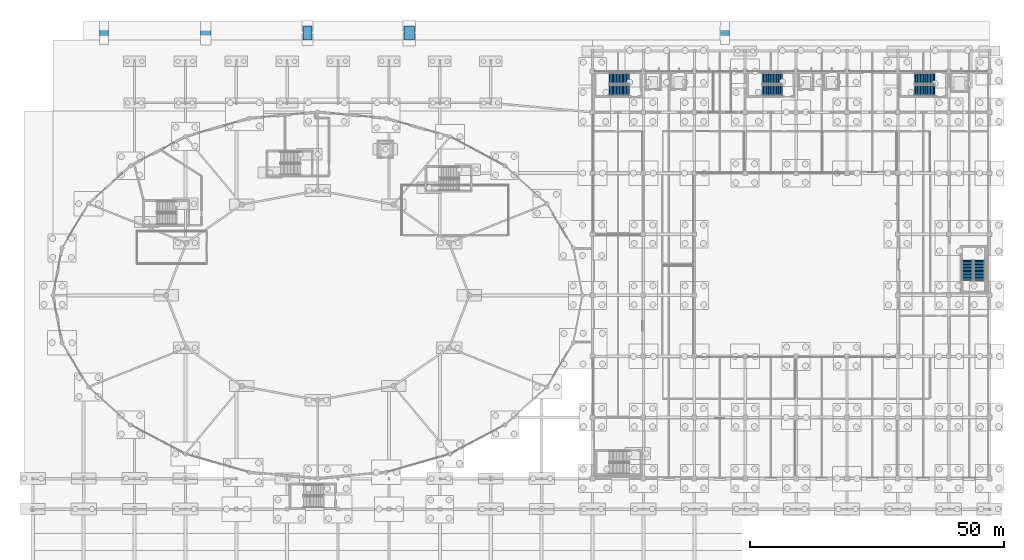
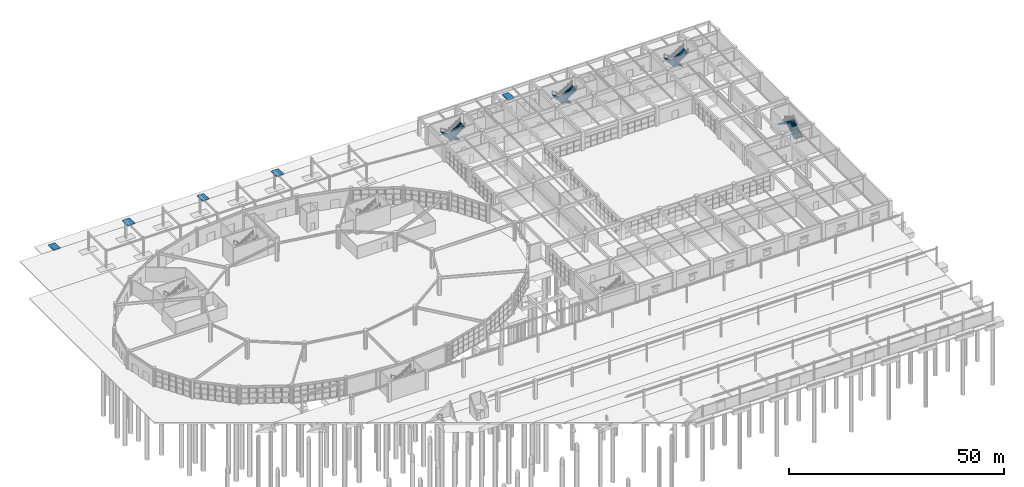
# One storey, part 86 of 99: 8 stair flights, 5 ramp flights, 9 elements without a shape of their own.
"""IFC4 building model written with IfcOpenShell, lengths in metres."""

import ifcopenshell
import ifcopenshell.guid

model = None  # the IFC model being written
_history = None  # IfcOwnerHistory: only IFC2X3 demands one
_inside = {}  # id of a spatial element -> (the spatial element, [elements in it])
_under = {}  # id of a project, library or spatial element -> (it, [spatial elements below it])
_declared = {}  # id of a project -> (the project, [libraries it declares])
_typed = {}  # id of a type object -> (the type object, [elements of that type])
_made_of = {}  # id of a material, layer set ... -> (it, [elements and type objects made of it])


def new_model(schema):
    """Start an empty IFC model of exactly this schema.

    Asked for "IFC4X3", IfcOpenShell would pick the latest addendum, in which some entities
    have other attributes; the version numbers below select the first issue.
    IFC2X3 requires an IfcOwnerHistory on every rooted entity: one is made here for all.
    """
    global model, _history
    if schema == "IFC4X3":
        model = ifcopenshell.file(schema_version=(4, 3, 0, 0))
    else:
        model = ifcopenshell.file(schema=schema)
    _inside.clear()
    _under.clear()
    _declared.clear()
    _typed.clear()
    _made_of.clear()
    _history = None
    if model.schema == "IFC2X3":
        org = make("IfcOrganization", Name="unknown")
        user = make(
            "IfcPersonAndOrganization",
            ThePerson=make("IfcPerson", FamilyName="unknown"),
            TheOrganization=org,
        )
        app = make(
            "IfcApplication",
            ApplicationDeveloper=org,
            Version="unknown",
            ApplicationFullName="unknown",
            ApplicationIdentifier="unknown",
        )
        _history = make(
            "IfcOwnerHistory",
            OwningUser=user,
            OwningApplication=app,
            ChangeAction="ADDED",
            CreationDate=0,
        )
    return model


def make(cls, **values):
    """One entity of the class cls with the attributes given. An attribute that is None is left unset."""
    return model.create_entity(
        cls, **{name: value for name, value in values.items() if value is not None}
    )


def rooted(cls, **values):
    """An entity with a GlobalId (a new one), such as an element, a storey or a relation."""
    return make(cls, GlobalId=ifcopenshell.guid.new(), OwnerHistory=_history, **values)


def si_unit(unit_type, name, prefix=None):
    """IfcSIUnit, for example si_unit("LENGTHUNIT", "METRE", prefix="MILLI")."""
    return make("IfcSIUnit", UnitType=unit_type, Prefix=prefix, Name=name)


def assignment(units):
    """IfcUnitAssignment: the units of a project."""
    return None if units is None else make("IfcUnitAssignment", Units=units)


def point(xyz):
    """IfcCartesianPoint."""
    return None if xyz is None else make("IfcCartesianPoint", Coordinates=xyz)


def direction(xyz):
    """IfcDirection."""
    return None if xyz is None else make("IfcDirection", DirectionRatios=xyz)


def frame(location, z_axis=None, x_axis=None):
    """IfcAxis2Placement3D, a coordinate frame: its origin and axes. An axis left out is left unset."""
    return make(
        "IfcAxis2Placement3D",
        Location=point(location),
        Axis=direction(z_axis),
        RefDirection=direction(x_axis),
    )


def origin():
    """The frame at (0, 0, 0) with its axes left unset."""
    return frame((0.0, 0.0, 0.0))


def place(relative_to, where):
    """IfcLocalPlacement: puts the frame where relative to a parent placement (None: the world)."""
    return make(
        "IfcLocalPlacement", PlacementRelTo=relative_to, RelativePlacement=where
    )


def context(
    kind, dimensions, precision=None, world=None, true_north=None, identifier=None
):
    """IfcGeometricRepresentationContext, for example the 3D "Model" context."""
    return make(
        "IfcGeometricRepresentationContext",
        ContextIdentifier=identifier,
        ContextType=kind,
        CoordinateSpaceDimension=dimensions,
        Precision=precision,
        WorldCoordinateSystem=world,
        TrueNorth=true_north,
    )


def subcontext(parent, identifier, kind, view, scale=None):
    """IfcGeometricRepresentationSubContext, for example "Body" below "Model"."""
    return make(
        "IfcGeometricRepresentationSubContext",
        ContextIdentifier=identifier,
        ContextType=kind,
        ParentContext=parent,
        TargetScale=scale,
        TargetView=view,
    )


def project(units=None, contexts=None):
    """IfcProject with its units and contexts."""
    return rooted(
        "IfcProject",
        Name="project",
        RepresentationContexts=contexts,
        UnitsInContext=assignment(units),
    )


def spatial(cls, under=None, at=None, **own):
    """A site, building, storey or space (cls), placed at a placement, below another one or the project."""
    s = rooted(cls, ObjectPlacement=at, **own)
    if under is not None:
        _under.setdefault(under.id(), (under, []))[1].append(s)
    return s


def polyline(points):
    """IfcPolyline through the points."""
    return make("IfcPolyline", Points=[point(p) for p in points])


def outline(outer, holes=None, kind="AREA"):
    """IfcArbitraryClosedProfileDef: a profile drawn as a closed curve; with holes, ...WithVoids."""
    if holes is None:
        return make("IfcArbitraryClosedProfileDef", ProfileType=kind, OuterCurve=outer)
    return make(
        "IfcArbitraryProfileDefWithVoids",
        ProfileType=kind,
        OuterCurve=outer,
        InnerCurves=holes,
    )


def extrude(swept, where, along, depth):
    """IfcExtrudedAreaSolid: the profile swept, set in the frame where, extruded along a direction by depth."""
    return make(
        "IfcExtrudedAreaSolid",
        SweptArea=swept,
        Position=where,
        ExtrudedDirection=direction(along),
        Depth=depth,
    )


def shape(context_of_items, identifier, shape_type, items):
    """IfcShapeRepresentation: the items that make up one representation, for example the "Body"."""
    return make(
        "IfcShapeRepresentation",
        ContextOfItems=context_of_items,
        RepresentationIdentifier=identifier,
        RepresentationType=shape_type,
        Items=items,
    )


def material(Name=None, Category=None):
    """IfcMaterial."""
    return make("IfcMaterial", Name=Name, Category=Category)


def layer(
    of_material, thickness, ventilated=None, Name=None, Category=None, Priority=None
):
    """IfcMaterialLayer: one layer of a wall or slab, of a material (None: an air gap)."""
    return make(
        "IfcMaterialLayer",
        Material=of_material,
        LayerThickness=thickness,
        IsVentilated=ventilated,
        Name=Name,
        Category=Category,
        Priority=Priority,
    )


def layer_set(layers, Name=None):
    """IfcMaterialLayerSet."""
    return make("IfcMaterialLayerSet", MaterialLayers=layers, LayerSetName=Name)


def made_of(thing, what):
    """Note that an element or type object is made of a material, layer set ...; save() writes the relation."""
    if what is not None:
        _made_of.setdefault(what.id(), (what, []))[1].append(thing)
    return thing


def type_object(cls, material=None, **own):
    """A type object (cls), such as IfcWallType, which elements share."""
    return made_of(rooted(cls, **own), material)


def element(
    cls,
    number,
    at=None,
    inside=None,
    cuts=None,
    type_object=None,
    material=None,
    context=None,
    identifier="Body",
    shape_type=None,
    held_by="IfcProductDefinitionShape",
    body=None,
    shapes=None,
    **own,
):
    """One element of the class cls, such as IfcWall. Its Tag is "e" and its number.

    at: its placement. inside: the storey or other place that contains it. cuts: it is an
    opening in that element (IfcRelVoidsElement). A single representation is given by context,
    identifier, shape_type and body (its items); several are given by shapes. held_by: the class
    of the entity that holds the representations. save() writes the other relations.
    """
    e = rooted(cls, Tag="e%d" % number, ObjectPlacement=at, **own)
    if body is not None:
        shapes = [shape(context, identifier, shape_type, body)]
    if shapes is not None:
        e.Representation = make(held_by, Representations=shapes)
    if inside is not None:
        _inside.setdefault(inside.id(), (inside, []))[1].append(e)
    if cuts is not None:
        rooted(
            "IfcRelVoidsElement", RelatingBuildingElement=cuts, RelatedOpeningElement=e
        )
    if type_object is not None:
        _typed.setdefault(type_object.id(), (type_object, []))[1].append(e)
    return made_of(e, material)


def aggregate(whole, parts):
    """IfcRelAggregates: a whole, such as a stair, and the parts it consists of."""
    return rooted("IfcRelAggregates", RelatingObject=whole, RelatedObjects=parts)


def save(model, path):
    """Write the relations noted so far, then the file.

    IfcRelAggregates (storeys below a building ...), IfcRelContainedInSpatialStructure (elements
    in a storey), IfcRelDefinesByType, IfcRelAssociatesMaterial and IfcRelDeclares: one each for
    every whole, place, type object, material and project.
    """
    for whole, parts in _under.values():
        aggregate(whole, parts)
    for where, things in _inside.values():
        rooted(
            "IfcRelContainedInSpatialStructure",
            RelatedElements=things,
            RelatingStructure=where,
        )
    for kind, things in _typed.values():
        rooted("IfcRelDefinesByType", RelatedObjects=things, RelatingType=kind)
    for what, things in _made_of.values():
        rooted("IfcRelAssociatesMaterial", RelatedObjects=things, RelatingMaterial=what)
    for by, libraries in _declared.values():
        rooted("IfcRelDeclares", RelatingContext=by, RelatedDefinitions=libraries)
    model.write(path)


model = new_model("IFC4")

# Units and contexts
model_context = context("Model", 3, precision=1e-05, world=origin(), true_north=direction((0.0, 1.0)))
body_context = subcontext(model_context, "Body", "Model", "MODEL_VIEW")
ifc_project = project(units=[si_unit("LENGTHUNIT", "METRE"), si_unit("AREAUNIT", "SQUARE_METRE"), si_unit("VOLUMEUNIT", "CUBIC_METRE"), si_unit("PLANEANGLEUNIT", "RADIAN"), si_unit("MASSUNIT", "GRAM", prefix="KILO")], contexts=[model_context])

# Site, building, storey
site_placement = place(None, origin())
site = spatial("IfcSite", under=ifc_project, at=site_placement, CompositionType="ELEMENT")
building_placement = place(site_placement, origin())
building = spatial("IfcBuilding", under=site, at=building_placement, Name="Kivolera Central Railway Station", CompositionType="ELEMENT")
storey_placement = place(building_placement, origin())
storey = spatial("IfcBuildingStorey", under=building, at=storey_placement, Name="L00", CompositionType="ELEMENT", Elevation=0.0)

# Stair, stair flights
ifc_material = material(Name="Concrete C40/50", Category="concrete")
stair_type = type_object("IfcStairType", Name="STR-2160-30", PredefinedType="HALF_TURN_STAIR", material=ifc_material)
stair_1_placement = place(storey_placement, origin())
stair_1 = element("IfcStair", 1, at=stair_1_placement, inside=storey, type_object=stair_type, Name="L00 Protected Exit Stair ST1", PredefinedType="HALF_TURN_STAIR")
stair_flight_type = type_object("IfcStairFlightType", Name="SFL-2160-30", PredefinedType="STRAIGHT", material=ifc_material)
stair_flight_1_placement = place(storey_placement, frame((125.239990234375, 132.60009765625, 0.0), z_axis=(0.0, 0.0, 1.0), x_axis=(-1.0, 0.0, 0.0)))
stair_flight_1 = element("IfcStairFlight", 2, at=stair_flight_1_placement, type_object=stair_flight_type, Name="ST1 flight 1", NumberOfRisers=15, NumberOfTreads=14, PredefinedType="STRAIGHT", RiserHeight=0.18, TreadLength=0.28, context=body_context, shape_type="SweptSolid", body=[
    extrude(outline(polyline([(-0.0400390625, 0.0), (0.0, 0.0), (0.0, 0.179931640625), (0.280029296875, 0.179931640625), (0.280029296875, 0.360107421875), (0.56005859375, 0.360107421875), (0.56005859375, 0.5400390625), (0.840087890625, 0.5400390625), (0.840087890625, 0.719970703125), (1.1201171875, 0.719970703125), (1.1201171875, 0.89990234375), (1.39990234375, 0.89990234375), (1.39990234375, 1.080078125), (1.679931640625, 1.080078125), (1.679931640625, 1.260009765625), (1.9599609375, 1.260009765625), (1.9599609375, 1.43994140625), (2.239990234375, 1.43994140625), (2.239990234375, 1.6201171875), (2.52001953125, 1.6201171875), (2.52001953125, 1.800048828125), (2.800048828125, 1.800048828125), (2.800048828125, 1.97998046875), (3.080078125, 1.97998046875), (3.080078125, 2.159912109375), (3.360107421875, 2.159912109375), (3.360107421875, 2.340087890625), (3.639892578125, 2.340087890625), (3.639892578125, 2.52001953125), (3.919921875, 2.52001953125), (3.919921875, 2.699951171875), (3.9599609375, 2.699951171875), (3.9599609375, 2.664306640625), (3.9599609375, 2.62841796875), (3.9599609375, 2.592529296875), (3.9599609375, 2.556640625), (3.9599609375, 2.52099609375), (3.9599609375, 2.485107421875), (3.9599609375, 2.44921875), (3.9599609375, 2.413330078125), (3.9599609375, 2.377685546875), (3.9599609375, 2.341796875), (0.277099609375, -0.080078125), (-0.0400390625, -0.072021484375), (-0.0400390625, -0.06396484375), (-0.0400390625, -0.055908203125), (-0.0400390625, -0.048095703125), (-0.0400390625, -0.0400390625), (-0.0400390625, -0.031982421875), (-0.0400390625, -0.02392578125), (-0.0400390625, -0.01611328125), (-0.0400390625, -0.008056640625), (-0.0400390625, 0.0)])), frame((0.0, 1.080078125, 0.0), z_axis=(0.0, -1.0, 0.0), x_axis=(1.0, 0.0, 0.0)), (0.0, 0.0, 1.0), 2.159912109375),
])
stair_flight_2_placement = place(storey_placement, frame((121.320068359375, 130.260009765625, 2.699951171875), z_axis=(0.0, 0.0, 1.0), x_axis=(1.0, 0.0, 0.0)))
stair_flight_2 = element("IfcStairFlight", 3, at=stair_flight_2_placement, type_object=stair_flight_type, Name="ST1 flight 2", NumberOfRisers=15, NumberOfTreads=14, PredefinedType="STRAIGHT", RiserHeight=0.18, TreadLength=0.28, context=body_context, shape_type="SweptSolid", body=[
    extrude(outline(polyline([(-0.0400390625, 0.0), (0.0, 0.0), (0.0, 0.179931640625), (0.280029296875, 0.179931640625), (0.280029296875, 0.360107421875), (0.56005859375, 0.360107421875), (0.56005859375, 0.5400390625), (0.840087890625, 0.5400390625), (0.840087890625, 0.719970703125), (1.1201171875, 0.719970703125), (1.1201171875, 0.89990234375), (1.39990234375, 0.89990234375), (1.39990234375, 1.080078125), (1.679931640625, 1.080078125), (1.679931640625, 1.260009765625), (1.9599609375, 1.260009765625), (1.9599609375, 1.43994140625), (2.239990234375, 1.43994140625), (2.239990234375, 1.6201171875), (2.52001953125, 1.6201171875), (2.52001953125, 1.800048828125), (2.800048828125, 1.800048828125), (2.800048828125, 1.97998046875), (3.080078125, 1.97998046875), (3.080078125, 2.159912109375), (3.360107421875, 2.159912109375), (3.360107421875, 2.340087890625), (3.639892578125, 2.340087890625), (3.639892578125, 2.52001953125), (3.919921875, 2.52001953125), (3.919921875, 2.699951171875), (3.9599609375, 2.699951171875), (3.9599609375, 2.664306640625), (3.9599609375, 2.62841796875), (3.9599609375, 2.592529296875), (3.9599609375, 2.556640625), (3.9599609375, 2.52099609375), (3.9599609375, 2.485107421875), (3.9599609375, 2.44921875), (3.9599609375, 2.413330078125), (3.9599609375, 2.377685546875), (3.9599609375, 2.341796875), (0.277099609375, -0.080078125), (-0.0400390625, -0.072021484375), (-0.0400390625, -0.06396484375), (-0.0400390625, -0.055908203125), (-0.0400390625, -0.048095703125), (-0.0400390625, -0.0400390625), (-0.0400390625, -0.031982421875), (-0.0400390625, -0.02392578125), (-0.0400390625, -0.01611328125), (-0.0400390625, -0.008056640625), (-0.0400390625, 0.0)])), frame((0.0, 1.080078125, 0.0), z_axis=(0.0, -1.0, 0.0), x_axis=(1.0, 0.0, 0.0)), (0.0, 0.0, 1.0), 2.159912109375),
])
aggregate(stair_1, [stair_flight_1, stair_flight_2])

stair_2_placement = place(storey_placement, origin())
stair_2 = element("IfcStair", 4, at=stair_2_placement, inside=storey, type_object=stair_type, Name="L00 Protected Exit Stair ST2", PredefinedType="HALF_TURN_STAIR")
stair_flight_3_placement = place(storey_placement, frame((155.239990234375, 132.60009765625, 0.0), z_axis=(0.0, 0.0, 1.0), x_axis=(-1.0, 0.0, 0.0)))
stair_flight_3 = element("IfcStairFlight", 5, at=stair_flight_3_placement, type_object=stair_flight_type, Name="ST2 flight 1", NumberOfRisers=15, NumberOfTreads=14, PredefinedType="STRAIGHT", RiserHeight=0.18, TreadLength=0.28, context=body_context, shape_type="SweptSolid", body=[
    extrude(outline(polyline([(-0.0400390625, 0.0), (0.0, 0.0), (0.0, 0.179931640625), (0.280029296875, 0.179931640625), (0.280029296875, 0.360107421875), (0.56005859375, 0.360107421875), (0.56005859375, 0.5400390625), (0.840087890625, 0.5400390625), (0.840087890625, 0.719970703125), (1.1201171875, 0.719970703125), (1.1201171875, 0.89990234375), (1.39990234375, 0.89990234375), (1.39990234375, 1.080078125), (1.679931640625, 1.080078125), (1.679931640625, 1.260009765625), (1.9599609375, 1.260009765625), (1.9599609375, 1.43994140625), (2.239990234375, 1.43994140625), (2.239990234375, 1.6201171875), (2.52001953125, 1.6201171875), (2.52001953125, 1.800048828125), (2.800048828125, 1.800048828125), (2.800048828125, 1.97998046875), (3.080078125, 1.97998046875), (3.080078125, 2.159912109375), (3.360107421875, 2.159912109375), (3.360107421875, 2.340087890625), (3.639892578125, 2.340087890625), (3.639892578125, 2.52001953125), (3.919921875, 2.52001953125), (3.919921875, 2.699951171875), (3.9599609375, 2.699951171875), (3.9599609375, 2.664306640625), (3.9599609375, 2.62841796875), (3.9599609375, 2.592529296875), (3.9599609375, 2.556640625), (3.9599609375, 2.52099609375), (3.9599609375, 2.485107421875), (3.9599609375, 2.44921875), (3.9599609375, 2.413330078125), (3.9599609375, 2.377685546875), (3.9599609375, 2.341796875), (0.277099609375, -0.080078125), (-0.0400390625, -0.072021484375), (-0.0400390625, -0.06396484375), (-0.0400390625, -0.055908203125), (-0.0400390625, -0.048095703125), (-0.0400390625, -0.0400390625), (-0.0400390625, -0.031982421875), (-0.0400390625, -0.02392578125), (-0.0400390625, -0.01611328125), (-0.0400390625, -0.008056640625), (-0.0400390625, 0.0)])), frame((0.0, 1.080078125, 0.0), z_axis=(0.0, -1.0, 0.0), x_axis=(1.0, 0.0, 0.0)), (0.0, 0.0, 1.0), 2.159912109375),
])
stair_flight_4_placement = place(storey_placement, frame((151.320068359375, 130.260009765625, 2.699951171875), z_axis=(0.0, 0.0, 1.0), x_axis=(1.0, 0.0, 0.0)))
stair_flight_4 = element("IfcStairFlight", 6, at=stair_flight_4_placement, type_object=stair_flight_type, Name="ST2 flight 2", NumberOfRisers=15, NumberOfTreads=14, PredefinedType="STRAIGHT", RiserHeight=0.18, TreadLength=0.28, context=body_context, shape_type="SweptSolid", body=[
    extrude(outline(polyline([(-0.0400390625, 0.0), (0.0, 0.0), (0.0, 0.179931640625), (0.280029296875, 0.179931640625), (0.280029296875, 0.360107421875), (0.56005859375, 0.360107421875), (0.56005859375, 0.5400390625), (0.840087890625, 0.5400390625), (0.840087890625, 0.719970703125), (1.1201171875, 0.719970703125), (1.1201171875, 0.89990234375), (1.39990234375, 0.89990234375), (1.39990234375, 1.080078125), (1.679931640625, 1.080078125), (1.679931640625, 1.260009765625), (1.9599609375, 1.260009765625), (1.9599609375, 1.43994140625), (2.239990234375, 1.43994140625), (2.239990234375, 1.6201171875), (2.52001953125, 1.6201171875), (2.52001953125, 1.800048828125), (2.800048828125, 1.800048828125), (2.800048828125, 1.97998046875), (3.080078125, 1.97998046875), (3.080078125, 2.159912109375), (3.360107421875, 2.159912109375), (3.360107421875, 2.340087890625), (3.639892578125, 2.340087890625), (3.639892578125, 2.52001953125), (3.919921875, 2.52001953125), (3.919921875, 2.699951171875), (3.9599609375, 2.699951171875), (3.9599609375, 2.664306640625), (3.9599609375, 2.62841796875), (3.9599609375, 2.592529296875), (3.9599609375, 2.556640625), (3.9599609375, 2.52099609375), (3.9599609375, 2.485107421875), (3.9599609375, 2.44921875), (3.9599609375, 2.413330078125), (3.9599609375, 2.377685546875), (3.9599609375, 2.341796875), (0.277099609375, -0.080078125), (-0.0400390625, -0.072021484375), (-0.0400390625, -0.06396484375), (-0.0400390625, -0.055908203125), (-0.0400390625, -0.048095703125), (-0.0400390625, -0.0400390625), (-0.0400390625, -0.031982421875), (-0.0400390625, -0.02392578125), (-0.0400390625, -0.01611328125), (-0.0400390625, -0.008056640625), (-0.0400390625, 0.0)])), frame((0.0, 1.080078125, 0.0), z_axis=(0.0, -1.0, 0.0), x_axis=(1.0, 0.0, 0.0)), (0.0, 0.0, 1.0), 2.159912109375),
])
aggregate(stair_2, [stair_flight_3, stair_flight_4])

stair_3_placement = place(storey_placement, origin())
stair_3 = element("IfcStair", 7, at=stair_3_placement, inside=storey, type_object=stair_type, Name="L00 Protected Exit Stair ST3", PredefinedType="HALF_TURN_STAIR")
stair_flight_5_placement = place(storey_placement, frame((185.239990234375, 132.60009765625, 0.0), z_axis=(0.0, 0.0, 1.0), x_axis=(-1.0, 0.0, 0.0)))
stair_flight_5 = element("IfcStairFlight", 8, at=stair_flight_5_placement, type_object=stair_flight_type, Name="ST3 flight 1", NumberOfRisers=15, NumberOfTreads=14, PredefinedType="STRAIGHT", RiserHeight=0.18, TreadLength=0.28, context=body_context, shape_type="SweptSolid", body=[
    extrude(outline(polyline([(-0.0400390625, 0.0), (0.0, 0.0), (0.0, 0.179931640625), (0.280029296875, 0.179931640625), (0.280029296875, 0.360107421875), (0.56005859375, 0.360107421875), (0.56005859375, 0.5400390625), (0.840087890625, 0.5400390625), (0.840087890625, 0.719970703125), (1.1201171875, 0.719970703125), (1.1201171875, 0.89990234375), (1.39990234375, 0.89990234375), (1.39990234375, 1.080078125), (1.679931640625, 1.080078125), (1.679931640625, 1.260009765625), (1.9599609375, 1.260009765625), (1.9599609375, 1.43994140625), (2.239990234375, 1.43994140625), (2.239990234375, 1.6201171875), (2.52001953125, 1.6201171875), (2.52001953125, 1.800048828125), (2.800048828125, 1.800048828125), (2.800048828125, 1.97998046875), (3.080078125, 1.97998046875), (3.080078125, 2.159912109375), (3.360107421875, 2.159912109375), (3.360107421875, 2.340087890625), (3.639892578125, 2.340087890625), (3.639892578125, 2.52001953125), (3.919921875, 2.52001953125), (3.919921875, 2.699951171875), (3.9599609375, 2.699951171875), (3.9599609375, 2.664306640625), (3.9599609375, 2.62841796875), (3.9599609375, 2.592529296875), (3.9599609375, 2.556640625), (3.9599609375, 2.52099609375), (3.9599609375, 2.485107421875), (3.9599609375, 2.44921875), (3.9599609375, 2.413330078125), (3.9599609375, 2.377685546875), (3.9599609375, 2.341796875), (0.277099609375, -0.080078125), (-0.0400390625, -0.072021484375), (-0.0400390625, -0.06396484375), (-0.0400390625, -0.055908203125), (-0.0400390625, -0.048095703125), (-0.0400390625, -0.0400390625), (-0.0400390625, -0.031982421875), (-0.0400390625, -0.02392578125), (-0.0400390625, -0.01611328125), (-0.0400390625, -0.008056640625), (-0.0400390625, 0.0)])), frame((0.0, 1.080078125, 0.0), z_axis=(0.0, -1.0, 0.0), x_axis=(1.0, 0.0, 0.0)), (0.0, 0.0, 1.0), 2.159912109375),
])
stair_flight_6_placement = place(storey_placement, frame((181.320068359375, 130.260009765625, 2.699951171875), z_axis=(0.0, 0.0, 1.0), x_axis=(1.0, 0.0, 0.0)))
stair_flight_6 = element("IfcStairFlight", 9, at=stair_flight_6_placement, type_object=stair_flight_type, Name="ST3 flight 2", NumberOfRisers=15, NumberOfTreads=14, PredefinedType="STRAIGHT", RiserHeight=0.18, TreadLength=0.28, context=body_context, shape_type="SweptSolid", body=[
    extrude(outline(polyline([(-0.0400390625, 0.0), (0.0, 0.0), (0.0, 0.179931640625), (0.280029296875, 0.179931640625), (0.280029296875, 0.360107421875), (0.56005859375, 0.360107421875), (0.56005859375, 0.5400390625), (0.840087890625, 0.5400390625), (0.840087890625, 0.719970703125), (1.1201171875, 0.719970703125), (1.1201171875, 0.89990234375), (1.39990234375, 0.89990234375), (1.39990234375, 1.080078125), (1.679931640625, 1.080078125), (1.679931640625, 1.260009765625), (1.9599609375, 1.260009765625), (1.9599609375, 1.43994140625), (2.239990234375, 1.43994140625), (2.239990234375, 1.6201171875), (2.52001953125, 1.6201171875), (2.52001953125, 1.800048828125), (2.800048828125, 1.800048828125), (2.800048828125, 1.97998046875), (3.080078125, 1.97998046875), (3.080078125, 2.159912109375), (3.360107421875, 2.159912109375), (3.360107421875, 2.340087890625), (3.639892578125, 2.340087890625), (3.639892578125, 2.52001953125), (3.919921875, 2.52001953125), (3.919921875, 2.699951171875), (3.9599609375, 2.699951171875), (3.9599609375, 2.664306640625), (3.9599609375, 2.62841796875), (3.9599609375, 2.592529296875), (3.9599609375, 2.556640625), (3.9599609375, 2.52099609375), (3.9599609375, 2.485107421875), (3.9599609375, 2.44921875), (3.9599609375, 2.413330078125), (3.9599609375, 2.377685546875), (3.9599609375, 2.341796875), (0.277099609375, -0.080078125), (-0.0400390625, -0.072021484375), (-0.0400390625, -0.06396484375), (-0.0400390625, -0.055908203125), (-0.0400390625, -0.048095703125), (-0.0400390625, -0.0400390625), (-0.0400390625, -0.031982421875), (-0.0400390625, -0.02392578125), (-0.0400390625, -0.01611328125), (-0.0400390625, -0.008056640625), (-0.0400390625, 0.0)])), frame((0.0, 1.080078125, 0.0), z_axis=(0.0, -1.0, 0.0), x_axis=(1.0, 0.0, 0.0)), (0.0, 0.0, 1.0), 2.159912109375),
])
aggregate(stair_3, [stair_flight_5, stair_flight_6])

stair_4_placement = place(storey_placement, origin())
stair_4 = element("IfcStair", 10, at=stair_4_placement, inside=storey, type_object=stair_type, Name="L00 Protected Exit Stair ST11", PredefinedType="HALF_TURN_STAIR")
stair_flight_7_placement = place(storey_placement, frame((194.02001953125, 92.9599609375, 0.0), z_axis=(0.0, 0.0, 1.0), x_axis=(0.0, 1.0, 0.0)))
stair_flight_7 = element("IfcStairFlight", 11, at=stair_flight_7_placement, type_object=stair_flight_type, Name="ST11 flight 1", NumberOfRisers=15, NumberOfTreads=14, PredefinedType="STRAIGHT", RiserHeight=0.18, TreadLength=0.28, context=body_context, shape_type="SweptSolid", body=[
    extrude(outline(polyline([(-0.0400390625, 0.0), (0.0, 0.0), (0.0, 0.179931640625), (0.280029296875, 0.179931640625), (0.280029296875, 0.360107421875), (0.56005859375, 0.360107421875), (0.56005859375, 0.5400390625), (0.840087890625, 0.5400390625), (0.840087890625, 0.719970703125), (1.1201171875, 0.719970703125), (1.1201171875, 0.89990234375), (1.39990234375, 0.89990234375), (1.39990234375, 1.080078125), (1.679931640625, 1.080078125), (1.679931640625, 1.260009765625), (1.9599609375, 1.260009765625), (1.9599609375, 1.43994140625), (2.239990234375, 1.43994140625), (2.239990234375, 1.6201171875), (2.52001953125, 1.6201171875), (2.52001953125, 1.800048828125), (2.800048828125, 1.800048828125), (2.800048828125, 1.97998046875), (3.080078125, 1.97998046875), (3.080078125, 2.159912109375), (3.360107421875, 2.159912109375), (3.360107421875, 2.340087890625), (3.639892578125, 2.340087890625), (3.639892578125, 2.52001953125), (3.919921875, 2.52001953125), (3.919921875, 2.699951171875), (3.9599609375, 2.699951171875), (3.9599609375, 2.664306640625), (3.9599609375, 2.62841796875), (3.9599609375, 2.592529296875), (3.9599609375, 2.556640625), (3.9599609375, 2.52099609375), (3.9599609375, 2.485107421875), (3.9599609375, 2.44921875), (3.9599609375, 2.413330078125), (3.9599609375, 2.377685546875), (3.9599609375, 2.341796875), (0.277099609375, -0.080078125), (-0.0400390625, -0.072021484375), (-0.0400390625, -0.06396484375), (-0.0400390625, -0.055908203125), (-0.0400390625, -0.048095703125), (-0.0400390625, -0.0400390625), (-0.0400390625, -0.031982421875), (-0.0400390625, -0.02392578125), (-0.0400390625, -0.01611328125), (-0.0400390625, -0.008056640625), (-0.0400390625, 0.0)])), frame((0.0, 1.080078125, 0.0), z_axis=(0.0, -1.0, 0.0), x_axis=(1.0, 0.0, 0.0)), (0.0, 0.0, 1.0), 2.159912109375),
])
stair_flight_8_placement = place(storey_placement, frame((191.679931640625, 96.8798828125, 2.699951171875), z_axis=(0.0, 0.0, 1.0), x_axis=(0.0, -1.0, 0.0)))
stair_flight_8 = element("IfcStairFlight", 12, at=stair_flight_8_placement, type_object=stair_flight_type, Name="ST11 flight 2", NumberOfRisers=15, NumberOfTreads=14, PredefinedType="STRAIGHT", RiserHeight=0.18, TreadLength=0.28, context=body_context, shape_type="SweptSolid", body=[
    extrude(outline(polyline([(-0.0400390625, 0.0), (0.0, 0.0), (0.0, 0.179931640625), (0.280029296875, 0.179931640625), (0.280029296875, 0.360107421875), (0.56005859375, 0.360107421875), (0.56005859375, 0.5400390625), (0.840087890625, 0.5400390625), (0.840087890625, 0.719970703125), (1.1201171875, 0.719970703125), (1.1201171875, 0.89990234375), (1.39990234375, 0.89990234375), (1.39990234375, 1.080078125), (1.679931640625, 1.080078125), (1.679931640625, 1.260009765625), (1.9599609375, 1.260009765625), (1.9599609375, 1.43994140625), (2.239990234375, 1.43994140625), (2.239990234375, 1.6201171875), (2.52001953125, 1.6201171875), (2.52001953125, 1.800048828125), (2.800048828125, 1.800048828125), (2.800048828125, 1.97998046875), (3.080078125, 1.97998046875), (3.080078125, 2.159912109375), (3.360107421875, 2.159912109375), (3.360107421875, 2.340087890625), (3.639892578125, 2.340087890625), (3.639892578125, 2.52001953125), (3.919921875, 2.52001953125), (3.919921875, 2.699951171875), (3.9599609375, 2.699951171875), (3.9599609375, 2.664306640625), (3.9599609375, 2.62841796875), (3.9599609375, 2.592529296875), (3.9599609375, 2.556640625), (3.9599609375, 2.52099609375), (3.9599609375, 2.485107421875), (3.9599609375, 2.44921875), (3.9599609375, 2.413330078125), (3.9599609375, 2.377685546875), (3.9599609375, 2.341796875), (0.277099609375, -0.080078125), (-0.0400390625, -0.072021484375), (-0.0400390625, -0.06396484375), (-0.0400390625, -0.055908203125), (-0.0400390625, -0.048095703125), (-0.0400390625, -0.0400390625), (-0.0400390625, -0.031982421875), (-0.0400390625, -0.02392578125), (-0.0400390625, -0.01611328125), (-0.0400390625, -0.008056640625), (-0.0400390625, 0.0)])), frame((0.0, 1.080078125, 0.0), z_axis=(0.0, -1.0, 0.0), x_axis=(1.0, 0.0, 0.0)), (0.0, 0.0, 1.0), 2.159912109375),
])
aggregate(stair_4, [stair_flight_7, stair_flight_8])

# Ramp, ramp flight
ramp_type = type_object("IfcRampType", Name="RMP-ACC-SYS", PredefinedType="STRAIGHT_RUN_RAMP", material=ifc_material)
ramp_1_placement = place(storey_placement, origin())
ramp_1 = element("IfcRamp", 13, at=ramp_1_placement, inside=storey, type_object=ramp_type, Name="Accessible Station Entrance Ramp 01", PredefinedType="STRAIGHT_RUN_RAMP")
ifc_layer_1 = layer(ifc_material, 0.219970703125, Name="Concrete C40/50")
ifc_layer_set_1 = layer_set([ifc_layer_1], Name="Concrete C40/50")
ramp_flight_type_1 = type_object("IfcRampFlightType", Name="RFL-180", PredefinedType="STRAIGHT", material=ifc_layer_set_1)
ramp_flight_1_placement = place(storey_placement, frame((22.0, 142.89990234375, -0.179931640625), z_axis=(0.0, 0.0, 1.0), x_axis=(0.0, -1.0, 0.0)))
ramp_flight_1 = element("IfcRampFlight", 14, at=ramp_flight_1_placement, type_object=ramp_flight_type_1, Name="Accessible Ramp Flight 01", PredefinedType="STRAIGHT", context=body_context, shape_type="SweptSolid", body=[
    extrude(outline(polyline([(0.0, -0.300048828125), (2.699951171875, -0.1201171875), (2.699951171875, 0.179931640625), (0.0, 0.0), (0.0, -0.300048828125)])), frame((0.0, 0.89990234375, 0.0), z_axis=(0.0, -1.0, 0.0), x_axis=(1.0, 0.0, 0.0)), (0.0, 0.0, 1.0), 1.800048828125),
])
aggregate(ramp_1, [ramp_flight_1])

ramp_2_placement = place(storey_placement, origin())
ramp_2 = element("IfcRamp", 15, at=ramp_2_placement, inside=storey, type_object=ramp_type, Name="Accessible Station Entrance Ramp 03", PredefinedType="STRAIGHT_RUN_RAMP")
ramp_flight_2_placement = place(storey_placement, frame((62.0, 142.89990234375, -0.179931640625), z_axis=(0.0, 0.0, 1.0), x_axis=(0.0, -1.0, 0.0)))
ramp_flight_2 = element("IfcRampFlight", 16, at=ramp_flight_2_placement, type_object=ramp_flight_type_1, Name="Accessible Ramp Flight 03", PredefinedType="STRAIGHT", context=body_context, shape_type="SweptSolid", body=[
    extrude(outline(polyline([(0.0, -0.300048828125), (2.699951171875, -0.1201171875), (2.699951171875, 0.179931640625), (0.0, 0.0), (0.0, -0.300048828125)])), frame((0.0, 0.89990234375, 0.0), z_axis=(0.0, -1.0, 0.0), x_axis=(1.0, 0.0, 0.0)), (0.0, 0.0, 1.0), 1.800048828125),
])
aggregate(ramp_2, [ramp_flight_2])

ramp_3_placement = place(storey_placement, origin())
ramp_3 = element("IfcRamp", 17, at=ramp_3_placement, inside=storey, type_object=ramp_type, Name="Accessible Station Entrance Ramp 05", PredefinedType="STRAIGHT_RUN_RAMP")
ramp_flight_3_placement = place(storey_placement, frame((144.0, 142.89990234375, -0.179931640625), z_axis=(0.0, 0.0, 1.0), x_axis=(0.0, -1.0, 0.0)))
ramp_flight_3 = element("IfcRampFlight", 18, at=ramp_flight_3_placement, type_object=ramp_flight_type_1, Name="Accessible Ramp Flight 05", PredefinedType="STRAIGHT", context=body_context, shape_type="SweptSolid", body=[
    extrude(outline(polyline([(0.0, -0.300048828125), (2.699951171875, -0.1201171875), (2.699951171875, 0.179931640625), (0.0, 0.0), (0.0, -0.300048828125)])), frame((0.0, 0.89990234375, 0.0), z_axis=(0.0, -1.0, 0.0), x_axis=(1.0, 0.0, 0.0)), (0.0, 0.0, 1.0), 1.800048828125),
])
aggregate(ramp_3, [ramp_flight_3])

ramp_4_placement = place(storey_placement, origin())
ramp_4 = element("IfcRamp", 19, at=ramp_4_placement, inside=storey, type_object=ramp_type, Name="Accessible Station Entrance Ramp 02", PredefinedType="STRAIGHT_RUN_RAMP")
ifc_layer_2 = layer(ifc_material, 0.219970703125, Name="Concrete C40/50")
ifc_layer_set_2 = layer_set([ifc_layer_2], Name="Concrete C40/50")
ramp_flight_type_2 = type_object("IfcRampFlightType", Name="RFL-200", PredefinedType="STRAIGHT", material=ifc_layer_set_2)
ramp_flight_4_placement = place(storey_placement, frame((42.0, 142.89990234375, -0.179931640625), z_axis=(0.0, 0.0, 1.0), x_axis=(0.0, -1.0, 0.0)))
ramp_flight_4 = element("IfcRampFlight", 20, at=ramp_flight_4_placement, type_object=ramp_flight_type_2, Name="Accessible Ramp Flight 02", PredefinedType="STRAIGHT", context=body_context, shape_type="SweptSolid", body=[
    extrude(outline(polyline([(0.0, -0.300048828125), (2.699951171875, -0.1201171875), (2.699951171875, 0.179931640625), (0.0, 0.0), (0.0, -0.300048828125)])), frame((0.0, 1.0, 0.0), z_axis=(0.0, -1.0, 0.0), x_axis=(1.0, 0.0, 0.0)), (0.0, 0.0, 1.0), 2.0),
])
aggregate(ramp_4, [ramp_flight_4])

ramp_5_placement = place(storey_placement, origin())
ramp_5 = element("IfcRamp", 21, at=ramp_5_placement, inside=storey, type_object=ramp_type, Name="Accessible Station Entrance Ramp 04", PredefinedType="STRAIGHT_RUN_RAMP")
ramp_flight_5_placement = place(storey_placement, frame((82.0, 142.89990234375, -0.179931640625), z_axis=(0.0, 0.0, 1.0), x_axis=(0.0, -1.0, 0.0)))
ramp_flight_5 = element("IfcRampFlight", 22, at=ramp_flight_5_placement, type_object=ramp_flight_type_2, Name="Accessible Ramp Flight 04", PredefinedType="STRAIGHT", context=body_context, shape_type="SweptSolid", body=[
    extrude(outline(polyline([(0.0, -0.300048828125), (2.699951171875, -0.1201171875), (2.699951171875, 0.179931640625), (0.0, 0.0), (0.0, -0.300048828125)])), frame((0.0, 1.0, 0.0), z_axis=(0.0, -1.0, 0.0), x_axis=(1.0, 0.0, 0.0)), (0.0, 0.0, 1.0), 2.0),
])
aggregate(ramp_5, [ramp_flight_5])

save(model, "model.ifc")
